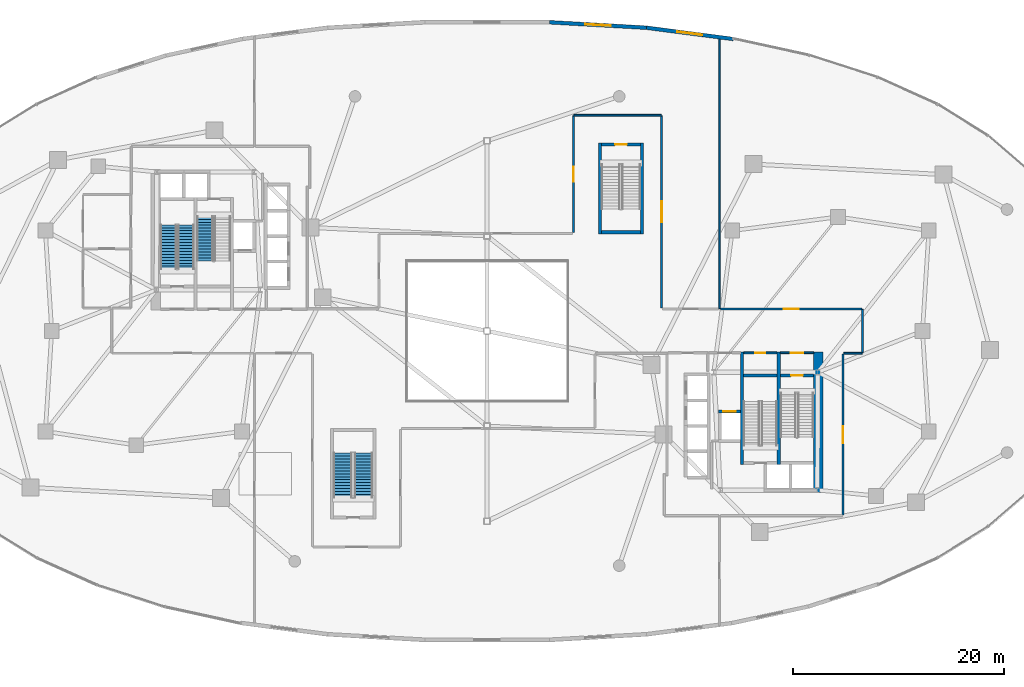
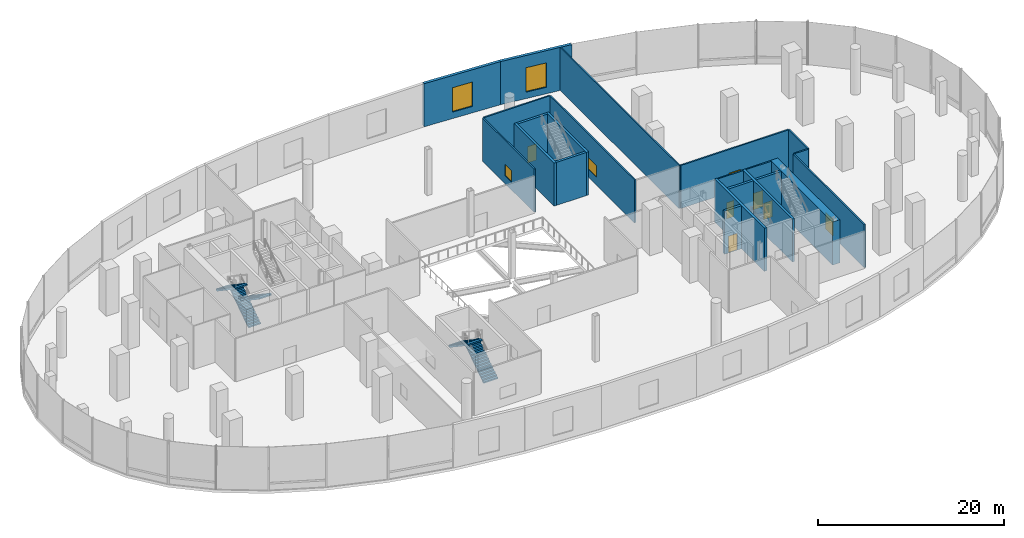
# One storey, part 15 of 20: 22 walls, 6 doors, 5 stair flights, 5 windows, 11 openings, 3 elements without a shape of their own.
"""IFC4 building model written with IfcOpenShell, lengths in metres."""

from ifc_helpers import new_model, si_unit, direction, frame, frame_2d, origin, place, context, subcontext, project, spatial, polyline, rectangle, outline, extrude, material, layer, layer_set, type_object, element, fill, aggregate, save


model = new_model("IFC4")

# Units and contexts
model_context = context("Model", 3, precision=1e-05, world=origin(), true_north=direction((0.0, 1.0)))
body_context = subcontext(model_context, "Body", "Model", "MODEL_VIEW")
ifc_project = project(units=[si_unit("LENGTHUNIT", "METRE"), si_unit("AREAUNIT", "SQUARE_METRE"), si_unit("VOLUMEUNIT", "CUBIC_METRE"), si_unit("PLANEANGLEUNIT", "RADIAN"), si_unit("MASSUNIT", "GRAM", prefix="KILO"), si_unit("THERMODYNAMICTEMPERATUREUNIT", "KELVIN"), si_unit("POWERUNIT", "WATT")], contexts=[model_context])

# Site, building, storey
site_placement = place(None, origin())
site = spatial("IfcSite", under=ifc_project, at=site_placement, CompositionType="ELEMENT")
building_placement = place(site_placement, origin())
building = spatial("IfcBuilding", under=site, at=building_placement, Name="Cundina Bronze Exchange", CompositionType="ELEMENT")
storey_placement = place(building_placement, frame((0.0, 0.0, 6.0)))
storey = spatial("IfcBuildingStorey", under=building, at=storey_placement, Name="L01", CompositionType="ELEMENT", Elevation=6.0)

# Wall, opening, door
ifc_material_1 = material(Name="Gypsum Fireboard Partition EI120")
ifc_layer_1 = layer(ifc_material_1, 0.179931640625, Name="Gypsum Fireboard Partition EI120")
ifc_layer_set_1 = layer_set([ifc_layer_1], Name="Gypsum Fireboard Partition EI120")
wall_type_1 = type_object("IfcWallType", Name="WL-COR-180", PredefinedType="PARTITIONING", material=ifc_layer_set_1)
wall_1_placement = place(storey_placement, frame((27.739990234375, -2.06005859375, 0.0), z_axis=(0.0, 0.0, 1.0), x_axis=(1.0, 0.0, 0.0)))
wall_1 = element("IfcWall", 1, at=wall_1_placement, inside=storey, type_object=wall_type_1, Name="L01 E Stair Vestibule Exit Wall", PredefinedType="PARTITIONING", context=body_context, shape_type="SweptSolid", body=[
    extrude(rectangle(XDim=3.159912109375, YDim=0.179931640625, at=frame_2d((1.580078125, 0.0))), origin(), (0.0, 0.0, 1.0), 5.64990234375),
])
opening_1_placement = place(wall_1_placement, frame((0.97998046875, 0.0, 0.0)))
opening_1 = element("IfcOpeningElement", 2, at=opening_1_placement, cuts=wall_1, Name="Opening DF-01", PredefinedType="OPENING", context=body_context, shape_type="SweptSolid", body=[
    extrude(rectangle(XDim=1.199951171875, YDim=2.14990234375, at=frame_2d((0.60009765625, 1.074951171875))), frame((0.0, 0.099853515625, 0.0), z_axis=(0.0, -1.0, 0.0), x_axis=(1.0, 0.0, 0.0)), (0.0, 0.0, 1.0), 0.199951171875),
])
ifc_material_2 = material(Name="Steel ASTM A36 Painted", Category="steel")
door_type_1 = type_object("IfcDoorType", Name="DR-FFL-1200", OperationType="NOTDEFINED", PredefinedType="DOOR", material=ifc_material_2)
door_1_placement = place(opening_1_placement, origin())
door_1 = element("IfcDoor", 3, at=door_1_placement, inside=storey, type_object=door_type_1, Name="L01 E Stair Vestibule Door", OperationType="SINGLE_SWING_RIGHT", OverallHeight=2.14990234375, OverallWidth=1.199951171875, PredefinedType="DOOR", context=body_context, shape_type="SweptSolid", body=[
    extrude(rectangle(XDim=1.199951171875, YDim=2.14990234375, at=frame_2d((0.60009765625, 1.074951171875))), frame((0.0, 0.02490234375, 0.0), z_axis=(0.0, -1.0, 0.0), x_axis=(1.0, 0.0, 0.0)), (0.0, 0.0, 1.0), 0.050048828125),
])
fill(opening_1, door_1)

wall_2_placement = place(storey_placement, frame((24.300048828125, -2.070068359375, 0.0), z_axis=(0.0, 0.0, 1.0), x_axis=(1.0, 0.0, 0.0)))
wall_2 = element("IfcWall", 4, at=wall_2_placement, inside=storey, type_object=wall_type_1, Name="L01 Interior Partition 010", PredefinedType="PARTITIONING", context=body_context, shape_type="SweptSolid", body=[
    extrude(rectangle(XDim=3.119873046875, YDim=0.179931640625, at=frame_2d((1.56005859375, 0.0))), origin(), (0.0, 0.0, 1.0), 5.64990234375),
])
opening_2_placement = place(wall_2_placement, frame((1.0849609375, 0.0, 0.0)))
opening_2 = element("IfcOpeningElement", 5, at=opening_2_placement, cuts=wall_2, Name="Opening DW-01", PredefinedType="OPENING", context=body_context, shape_type="SweptSolid", body=[
    extrude(rectangle(XDim=0.949951171875, YDim=2.10009765625, at=frame_2d((0.47509765625, 1.050048828125))), frame((0.0, 0.099853515625, 0.0), z_axis=(0.0, -1.0, 0.0), x_axis=(1.0, 0.0, 0.0)), (0.0, 0.0, 1.0), 0.199951171875),
])
ifc_material_3 = material(Name="Solid Andean Oak Timber Grade A", Category="wood")
door_type_2 = type_object("IfcDoorType", Name="DR-WC-950", OperationType="NOTDEFINED", PredefinedType="DOOR", material=ifc_material_3)
door_2_placement = place(opening_2_placement, origin())
door_2 = element("IfcDoor", 6, at=door_2_placement, inside=storey, type_object=door_type_2, Name="L01 Interior Door 010", OperationType="SINGLE_SWING_RIGHT", OverallHeight=2.10009765625, OverallWidth=0.949951171875, PredefinedType="DOOR", context=body_context, shape_type="SweptSolid", body=[
    extrude(rectangle(XDim=0.949951171875, YDim=2.10009765625, at=frame_2d((0.47509765625, 1.050048828125))), frame((0.0, 0.02490234375, 0.0), z_axis=(0.0, -1.0, 0.0), x_axis=(1.0, 0.0, 0.0)), (0.0, 0.0, 1.0), 0.050048828125),
])
fill(opening_2, door_2)

wall_3_placement = place(storey_placement, frame((33.669921875, -17.428466796875, 0.0), z_axis=(0.0, 0.0, 1.0), x_axis=(0.0, 1.0, 0.0)))
wall_3 = element("IfcWall", 7, at=wall_3_placement, inside=storey, type_object=wall_type_1, Name="L01 Interior Partition 036", PredefinedType="PARTITIONING", context=body_context, shape_type="SweptSolid", body=[
    extrude(rectangle(XDim=15.24853515625, YDim=0.179931640625, at=frame_2d((7.624267578125, 0.0))), origin(), (0.0, 0.0, 1.0), 5.64990234375),
])
opening_3_placement = place(wall_3_placement, frame((6.82421875, 0.0, 0.0)))
opening_3 = element("IfcOpeningElement", 8, at=opening_3_placement, cuts=wall_3, Name="Opening DO-02", PredefinedType="OPENING", context=body_context, shape_type="SweptSolid", body=[
    extrude(rectangle(XDim=1.60009765625, YDim=2.199951171875, at=frame_2d((0.800048828125, 1.10009765625))), frame((0.0, 0.099853515625, 0.0), z_axis=(0.0, -1.0, 0.0), x_axis=(1.0, 0.0, 0.0)), (0.0, 0.0, 1.0), 0.199951171875),
])
door_type_3 = type_object("IfcDoorType", Name="DR-TRD-1600", OperationType="NOTDEFINED", PredefinedType="DOOR", material=ifc_material_3)
door_3_placement = place(opening_3_placement, origin())
door_3 = element("IfcDoor", 9, at=door_3_placement, inside=storey, type_object=door_type_3, Name="L01 Interior Door 036", OperationType="SINGLE_SWING_LEFT", OverallHeight=2.199951171875, OverallWidth=1.60009765625, PredefinedType="DOOR", context=body_context, shape_type="SweptSolid", body=[
    extrude(rectangle(XDim=1.60009765625, YDim=2.199951171875, at=frame_2d((0.800048828125, 1.10009765625))), frame((0.0, 0.02490234375, 0.0), z_axis=(0.0, -1.0, 0.0), x_axis=(1.0, 0.0, 0.0)), (0.0, 0.0, 1.0), 0.050048828125),
])
fill(opening_3, door_3)

# Wall, opening, window
wall_4_placement = place(storey_placement, frame((35.478515625, 2.10009765625, 0.0), z_axis=(0.0, 0.0, 1.0), x_axis=(-1.0, 0.0, 0.0)))
wall_4 = element("IfcWall", 10, at=wall_4_placement, inside=storey, type_object=wall_type_1, Name="L01 Interior Partition 037", PredefinedType="PARTITIONING", context=body_context, shape_type="SweptSolid", body=[
    extrude(rectangle(XDim=13.383544921875, YDim=0.179931640625, at=frame_2d((6.69189453125, 0.0))), origin(), (0.0, 0.0, 1.0), 5.64990234375),
])
opening_4_placement = place(wall_4_placement, frame((5.991943359375, 0.0, 1.050048828125)))
opening_4 = element("IfcOpeningElement", 11, at=opening_4_placement, cuts=wall_4, Name="Opening WI-02", PredefinedType="OPENING", context=body_context, shape_type="SweptSolid", body=[
    extrude(rectangle(XDim=1.39990234375, YDim=1.5, at=frame_2d((0.699951171875, 0.75))), frame((0.0, 0.099853515625, 0.0), z_axis=(0.0, -1.0, 0.0), x_axis=(1.0, 0.0, 0.0)), (0.0, 0.0, 1.0), 0.199951171875),
])
ifc_material_4 = material(Name="Clear Low-E Insulating Glass 26mm", Category="glass")
window_type_1 = type_object("IfcWindowType", Name="WN-INT-1400", PartitioningType="SINGLE_PANEL", PredefinedType="WINDOW", material=ifc_material_4)
window_1_placement = place(opening_4_placement, origin())
window_1 = element("IfcWindow", 12, at=window_1_placement, inside=storey, type_object=window_type_1, Name="L01 Interior Acoustic Vision Window 037", OverallHeight=1.5, OverallWidth=1.39990234375, PartitioningType="SINGLE_PANEL", PredefinedType="WINDOW", context=body_context, shape_type="SweptSolid", body=[
    extrude(rectangle(XDim=1.39990234375, YDim=1.5, at=frame_2d((0.699951171875, 0.75))), frame((0.0, 0.030029296875, 0.0), z_axis=(0.0, -1.0, 0.0), x_axis=(1.0, 0.0, 0.0)), (0.0, 0.0, 1.0), 0.06005859375),
])
fill(opening_4, window_1)

# Walls
wall_5_placement = place(storey_placement, frame((35.52001953125, -2.05859375, 0.0), z_axis=(0.0, 0.0, 1.0), x_axis=(0.0, 1.0, 0.0)))
element("IfcWall", 13, at=wall_5_placement, inside=storey, type_object=wall_type_1, Name="L01 Interior Partition 039", PredefinedType="PARTITIONING", context=body_context, shape_type="SweptSolid", body=[
    extrude(rectangle(XDim=4.1171875, YDim=0.179931640625, at=frame_2d((2.05859375, 0.0))), origin(), (0.0, 0.0, 1.0), 5.64990234375),
])
wall_6_placement = place(storey_placement, frame((33.75, -2.10009765625, 0.0), z_axis=(0.0, 0.0, 1.0), x_axis=(1.0, 0.0, 0.0)))
element("IfcWall", 14, at=wall_6_placement, inside=storey, type_object=wall_type_1, Name="L01 Interior Partition 040", PredefinedType="PARTITIONING", context=body_context, shape_type="SweptSolid", body=[
    extrude(rectangle(XDim=1.728515625, YDim=0.179931640625, at=frame_2d((0.8642578125, 0.0))), origin(), (0.0, 0.0, 1.0), 5.64990234375),
])

# Wall, opening, window
wall_7_placement = place(storey_placement, frame((16.52001953125, 2.179931640625, 0.0), z_axis=(0.0, 0.0, 1.0), x_axis=(0.0, 1.0, 0.0)))
wall_7 = element("IfcWall", 15, at=wall_7_placement, inside=storey, type_object=wall_type_1, Name="L01 Interior Partition 042", PredefinedType="PARTITIONING", context=body_context, shape_type="SweptSolid", body=[
    extrude(rectangle(XDim=18.198486328125, YDim=0.179931640625, at=frame_2d((9.09912109375, 0.0))), origin(), (0.0, 0.0, 1.0), 5.64990234375),
])
opening_5_placement = place(wall_7_placement, frame((8.09912109375, 0.0, 1.050048828125)))
opening_5 = element("IfcOpeningElement", 16, at=opening_5_placement, cuts=wall_7, Name="Opening WI-01", PredefinedType="OPENING", context=body_context, shape_type="SweptSolid", body=[
    extrude(rectangle(XDim=2.0, YDim=1.5, at=frame_2d((1.0, 0.75))), frame((0.0, 0.099853515625, 0.0), z_axis=(0.0, -1.0, 0.0), x_axis=(1.0, 0.0, 0.0)), (0.0, 0.0, 1.0), 0.199951171875),
])
window_type_2 = type_object("IfcWindowType", Name="WN-INT-2000", PartitioningType="SINGLE_PANEL", PredefinedType="WINDOW", material=ifc_material_4)
window_2_placement = place(opening_5_placement, origin())
window_2 = element("IfcWindow", 17, at=window_2_placement, inside=storey, type_object=window_type_2, Name="L01 Interior Acoustic Vision Window 042", OverallHeight=1.5, OverallWidth=2.0, PartitioningType="SINGLE_PANEL", PredefinedType="WINDOW", context=body_context, shape_type="SweptSolid", body=[
    extrude(rectangle(XDim=2.0, YDim=1.5, at=frame_2d((1.0, 0.75))), frame((0.0, 0.030029296875, 0.0), z_axis=(0.0, -1.0, 0.0), x_axis=(1.0, 0.0, 0.0)), (0.0, 0.0, 1.0), 0.06005859375),
])
fill(opening_5, window_2)

wall_8_placement = place(storey_placement, frame((8.179931640625, 20.37841796875, 0.0), z_axis=(0.0, 0.0, 1.0), x_axis=(0.0, -1.0, 0.0)))
wall_8 = element("IfcWall", 18, at=wall_8_placement, inside=storey, type_object=wall_type_1, Name="L01 Interior Partition 043", PredefinedType="PARTITIONING", context=body_context, shape_type="SweptSolid", body=[
    extrude(rectangle(XDim=11.078369140625, YDim=0.179931640625, at=frame_2d((5.5390625, 0.0))), origin(), (0.0, 0.0, 1.0), 5.64990234375),
])
opening_6_placement = place(wall_8_placement, frame((4.839111328125, 0.0, 1.050048828125)))
opening_6 = element("IfcOpeningElement", 19, at=opening_6_placement, cuts=wall_8, Name="Opening WI-02", PredefinedType="OPENING", context=body_context, shape_type="SweptSolid", body=[
    extrude(rectangle(XDim=1.39990234375, YDim=1.5, at=frame_2d((0.699951171875, 0.75))), frame((0.0, 0.099853515625, 0.0), z_axis=(0.0, -1.0, 0.0), x_axis=(1.0, 0.0, 0.0)), (0.0, 0.0, 1.0), 0.199951171875),
])
window_3_placement = place(opening_6_placement, origin())
window_3 = element("IfcWindow", 20, at=window_3_placement, inside=storey, type_object=window_type_1, Name="L01 Interior Acoustic Vision Window 043", OverallHeight=1.5, OverallWidth=1.39990234375, PartitioningType="SINGLE_PANEL", PredefinedType="WINDOW", context=body_context, shape_type="SweptSolid", body=[
    extrude(rectangle(XDim=1.39990234375, YDim=1.5, at=frame_2d((0.699951171875, 0.75))), frame((0.0, 0.030029296875, 0.0), z_axis=(0.0, -1.0, 0.0), x_axis=(1.0, 0.0, 0.0)), (0.0, 0.0, 1.0), 0.06005859375),
])
fill(opening_6, window_3)

# Walls
wall_9_placement = place(storey_placement, frame((16.478515625, 20.419921875, 0.0), z_axis=(0.0, 0.0, 1.0), x_axis=(-1.0, 0.0, 0.0)))
element("IfcWall", 21, at=wall_9_placement, inside=storey, type_object=wall_type_1, Name="L01 Interior Partition 044", PredefinedType="PARTITIONING", context=body_context, shape_type="SweptSolid", body=[
    extrude(rectangle(XDim=8.257080078125, YDim=0.179931640625, at=frame_2d((4.12841796875, 0.0))), origin(), (0.0, 0.0, 1.0), 5.64990234375),
])
ifc_material_5 = material(Name="Concrete C60/75", Category="concrete")
ifc_layer_2 = layer(ifc_material_5, 0.89990234375, Name="Concrete C60/75", Category="concrete")
ifc_layer_set_2 = layer_set([ifc_layer_2], Name="Concrete C60/75")
wall_type_2 = type_object("IfcWallType", Name="WL-CORE-900", PredefinedType="SHEAR", material=ifc_layer_set_2)
wall_10_placement = place(storey_placement, frame((31.35009765625, -15.300048828125, 0.0), z_axis=(0.0, 0.0, 1.0), x_axis=(0.0, 1.0, 0.0)))
element("IfcWall", 22, at=wall_10_placement, inside=storey, type_object=wall_type_2, Name="L01 E Primary Core Shear Spine Wall", PredefinedType="SHEAR", context=body_context, shape_type="SweptSolid", body=[
    extrude(rectangle(XDim=13.330078125, YDim=0.89990234375, at=frame_2d((6.6650390625, 0.0))), origin(), (0.0, 0.0, 1.0), 5.64990234375),
])

# Wall, opening, window
ifc_material_6 = material(Name="Concrete C40/50", Category="concrete")
ifc_layer_3 = layer(ifc_material_6, 0.35009765625, Name="Concrete C40/50", Category="concrete")
ifc_layer_set_3 = layer_set([ifc_layer_3], Name="Concrete C40/50")
wall_type_3 = type_object("IfcWallType", Name="WL-EXT-350", PredefinedType="SOLIDWALL", material=ifc_layer_set_3)
wall_11_placement = place(storey_placement, frame((23.29345703125, 27.63232421875, 0.0), z_axis=(0.0, 0.0, 1.0), x_axis=(-0.99168663472, 0.128676410104, 0.0)))
wall_11 = element("IfcWall", 23, at=wall_11_placement, inside=storey, type_object=wall_type_3, Name="L01 Podium Exterior Wall 08", PredefinedType="SOLIDWALL", context=body_context, shape_type="SweptSolid", body=[
    extrude(rectangle(XDim=8.28369140625, YDim=0.35009765625, at=frame_2d((4.141845703125, 0.0))), origin(), (0.0, 0.0, 1.0), 5.64990234375),
])
opening_7_placement = place(wall_11_placement, frame((2.94189453125, 0.0, 0.85009765625)))
opening_7 = element("IfcOpeningElement", 24, at=opening_7_placement, cuts=wall_11, Name="Opening W-01", PredefinedType="OPENING", context=body_context, shape_type="SweptSolid", body=[
    extrude(rectangle(XDim=2.39990234375, YDim=3.199951171875, at=frame_2d((1.199951171875, 1.60009765625))), frame((0.0, 0.18505859375, 0.0), z_axis=(0.0, -1.0, 0.0), x_axis=(1.0, 0.0, 0.0)), (0.0, 0.0, 1.0), 0.3701171875),
])
ifc_material_7 = material(Name="Heat-Strengthened Solar-Control Bronze Safety Glass 28mm", Category="glass")
window_type_3 = type_object("IfcWindowType", Name="WN-POD-2400", PartitioningType="SINGLE_PANEL", PredefinedType="WINDOW", material=ifc_material_7)
window_4_placement = place(opening_7_placement, origin())
window_4 = element("IfcWindow", 25, at=window_4_placement, inside=storey, type_object=window_type_3, Name="L01 Podium Punched Window 08", OverallHeight=3.199951171875, OverallWidth=2.39990234375, PartitioningType="SINGLE_PANEL", PredefinedType="WINDOW", context=body_context, shape_type="SweptSolid", body=[
    extrude(rectangle(XDim=2.39990234375, YDim=3.199951171875, at=frame_2d((1.199951171875, 1.60009765625))), frame((0.0, 0.030029296875, 0.0), z_axis=(0.0, -1.0, 0.0), x_axis=(1.0, 0.0, 0.0)), (0.0, 0.0, 1.0), 0.06005859375),
])
fill(opening_7, window_4)

wall_12_placement = place(storey_placement, frame((15.07861328125, 28.6982421875, 0.0), z_axis=(0.0, 0.0, 1.0), x_axis=(-0.998413463137, 0.056307695976, 0.0)))
wall_12 = element("IfcWall", 26, at=wall_12_placement, inside=storey, type_object=wall_type_3, Name="L01 Podium Exterior Wall 09", PredefinedType="SOLIDWALL", context=body_context, shape_type="SweptSolid", body=[
    extrude(rectangle(XDim=9.20068359375, YDim=0.35009765625, at=frame_2d((4.600341796875, 0.0))), origin(), (0.0, 0.0, 1.0), 5.64990234375),
])
opening_8_placement = place(wall_12_placement, frame((3.39990234375, 0.0, 0.85009765625)))
opening_8 = element("IfcOpeningElement", 27, at=opening_8_placement, cuts=wall_12, Name="Opening W-01", PredefinedType="OPENING", context=body_context, shape_type="SweptSolid", body=[
    extrude(rectangle(XDim=2.39990234375, YDim=3.199951171875, at=frame_2d((1.199951171875, 1.60009765625))), frame((0.0, 0.18505859375, 0.0), z_axis=(0.0, -1.0, 0.0), x_axis=(1.0, 0.0, 0.0)), (0.0, 0.0, 1.0), 0.3701171875),
])
window_5_placement = place(opening_8_placement, origin())
window_5 = element("IfcWindow", 28, at=window_5_placement, inside=storey, type_object=window_type_3, Name="L01 Podium Punched Window 09", OverallHeight=3.199951171875, OverallWidth=2.39990234375, PartitioningType="SINGLE_PANEL", PredefinedType="WINDOW", context=body_context, shape_type="SweptSolid", body=[
    extrude(rectangle(XDim=2.39990234375, YDim=3.199951171875, at=frame_2d((1.199951171875, 1.60009765625))), frame((0.0, 0.030029296875, 0.0), z_axis=(0.0, -1.0, 0.0), x_axis=(1.0, 0.0, 0.0)), (0.0, 0.0, 1.0), 0.06005859375),
])
fill(opening_8, window_5)

# Walls
ifc_material_8 = material(Name="Concrete C50/60", Category="concrete")
ifc_layer_4 = layer(ifc_material_8, 0.300048828125, Name="Concrete C50/60", Category="concrete")
ifc_layer_set_4 = layer_set([ifc_layer_4], Name="Concrete C50/60")
wall_type_4 = type_object("IfcWallType", Name="WL-SHFT-300", PredefinedType="SHEAR", material=ifc_layer_set_4)
for number, where, z_axis, x_axis, name in (
    (29, (10.669921875, 9.199951171875, 0.0), (0.0, 0.0, 1.0), (0.0, 1.0, 0.0), "L01 Concourse Stair E West Shaft Wall"),
    (30, (14.669921875, 9.199951171875, 0.0), (0.0, 0.0, 1.0), (0.0, 1.0, 0.0), "L01 Concourse Stair E East Shaft Wall"),
):
    element("IfcWall", number, at=place(storey_placement, frame(where, z_axis=z_axis, x_axis=x_axis)), inside=storey, type_object=wall_type_4, Name=name, PredefinedType="SHEAR", context=body_context, shape_type="SweptSolid", body=[
        extrude(rectangle(XDim=8.60009765625, YDim=0.300048828125, at=frame_2d((4.300048828125, 0.0))), origin(), (0.0, 0.0, 1.0), 5.64990234375),
    ])

# Wall, opening, door
wall_13_placement = place(storey_placement, frame((10.820068359375, 17.64990234375, 0.0), z_axis=(0.0, 0.0, 1.0), x_axis=(1.0, 0.0, 0.0)))
wall_13 = element("IfcWall", 31, at=wall_13_placement, inside=storey, type_object=wall_type_4, Name="L01 Concourse Stair E Landing Wall", PredefinedType="SHEAR", context=body_context, shape_type="SweptSolid", body=[
    extrude(rectangle(XDim=3.699951171875, YDim=0.300048828125, at=frame_2d((1.85009765625, 0.0))), origin(), (0.0, 0.0, 1.0), 5.64990234375),
])
opening_9_placement = place(wall_13_placement, frame((1.300048828125, 0.0, 0.0)))
opening_9 = element("IfcOpeningElement", 32, at=opening_9_placement, cuts=wall_13, Name="Opening DS-01", PredefinedType="OPENING", context=body_context, shape_type="SweptSolid", body=[
    extrude(rectangle(XDim=1.10009765625, YDim=2.14990234375, at=frame_2d((0.550048828125, 1.074951171875))), frame((0.0, 0.159912109375, 0.0), z_axis=(0.0, -1.0, 0.0), x_axis=(1.0, 0.0, 0.0)), (0.0, 0.0, 1.0), 0.320068359375),
])
door_type_4 = type_object("IfcDoorType", Name="DR-STR-1100", OperationType="NOTDEFINED", PredefinedType="DOOR", material=ifc_material_2)
door_4_placement = place(opening_9_placement, origin())
door_4 = element("IfcDoor", 33, at=door_4_placement, inside=storey, type_object=door_type_4, Name="L01 Concourse Stair E Door", OperationType="SINGLE_SWING_RIGHT", OverallHeight=2.14990234375, OverallWidth=1.10009765625, PredefinedType="DOOR", context=body_context, shape_type="SweptSolid", body=[
    extrude(rectangle(XDim=1.10009765625, YDim=2.14990234375, at=frame_2d((0.550048828125, 1.074951171875))), frame((0.0, 0.02490234375, 0.0), z_axis=(0.0, -1.0, 0.0), x_axis=(1.0, 0.0, 0.0)), (0.0, 0.0, 1.0), 0.050048828125),
])
fill(opening_9, door_4)

# Walls
wall_14_placement = place(storey_placement, frame((10.820068359375, 9.35009765625, 0.0), z_axis=(0.0, 0.0, 1.0), x_axis=(1.0, 0.0, 0.0)))
element("IfcWall", 34, at=wall_14_placement, inside=storey, type_object=wall_type_4, Name="L01 Concourse Stair E Far Shaft Wall", PredefinedType="SHEAR", context=body_context, shape_type="SweptSolid", body=[
    extrude(rectangle(XDim=3.699951171875, YDim=0.300048828125, at=frame_2d((1.85009765625, 0.0))), origin(), (0.0, 0.0, 1.0), 5.64990234375),
])
for number, where, z_axis, x_axis, name in (
    (35, (27.590087890625, -12.64990234375, 0.0), (0.0, 0.0, 1.0), (0.0, 1.0, 0.0), "L01 E Stair Shaft Dividing Shear Wall"),
    (36, (24.1298828125, -12.64990234375, 0.0), (0.0, 0.0, 1.0), (0.0, 1.0, 0.0), "L01 E Stair 2 East Shear Wall"),
):
    element("IfcWall", number, at=place(storey_placement, frame(where, z_axis=z_axis, x_axis=x_axis)), inside=storey, type_object=wall_type_4, Name=name, PredefinedType="SHEAR", context=body_context, shape_type="SweptSolid", body=[
        extrude(rectangle(XDim=10.679931640625, YDim=0.300048828125, at=frame_2d((5.33984375, 0.0))), origin(), (0.0, 0.0, 1.0), 5.64990234375),
    ])

# Wall, opening, door
wall_15_placement = place(storey_placement, frame((27.739990234375, -4.199951171875, 0.0), z_axis=(0.0, 0.0, 1.0), x_axis=(1.0, 0.0, 0.0)))
wall_15 = element("IfcWall", 37, at=wall_15_placement, inside=storey, type_object=wall_type_4, Name="L01 Stair E1 Landing Wall", PredefinedType="SHEAR", context=body_context, shape_type="SweptSolid", body=[
    extrude(rectangle(XDim=3.159912109375, YDim=0.300048828125, at=frame_2d((1.580078125, 0.0))), origin(), (0.0, 0.0, 1.0), 5.64990234375),
])
opening_10_placement = place(wall_15_placement, frame((1.030029296875, 0.0, 0.0)))
opening_10 = element("IfcOpeningElement", 38, at=opening_10_placement, cuts=wall_15, Name="Opening DS-01", PredefinedType="OPENING", context=body_context, shape_type="SweptSolid", body=[
    extrude(rectangle(XDim=1.10009765625, YDim=2.14990234375, at=frame_2d((0.550048828125, 1.074951171875))), frame((0.0, 0.159912109375, 0.0), z_axis=(0.0, -1.0, 0.0), x_axis=(1.0, 0.0, 0.0)), (0.0, 0.0, 1.0), 0.320068359375),
])
door_5_placement = place(opening_10_placement, origin())
door_5 = element("IfcDoor", 39, at=door_5_placement, inside=storey, type_object=door_type_4, Name="L01 Smokeproof Stair E1 Door", OperationType="SINGLE_SWING_LEFT", OverallHeight=2.14990234375, OverallWidth=1.10009765625, PredefinedType="DOOR", context=body_context, shape_type="SweptSolid", body=[
    extrude(rectangle(XDim=1.10009765625, YDim=2.14990234375, at=frame_2d((0.550048828125, 1.074951171875))), frame((0.0, 0.02490234375, 0.0), z_axis=(0.0, -1.0, 0.0), x_axis=(1.0, 0.0, 0.0)), (0.0, 0.0, 1.0), 0.050048828125),
])
fill(opening_10, door_5)

# Wall
wall_16_placement = place(storey_placement, frame((24.280029296875, -4.199951171875, 0.0), z_axis=(0.0, 0.0, 1.0), x_axis=(1.0, 0.0, 0.0)))
element("IfcWall", 40, at=wall_16_placement, inside=storey, type_object=wall_type_4, Name="L01 Stair E2 Far Shaft Wall", PredefinedType="SHEAR", context=body_context, shape_type="SweptSolid", body=[
    extrude(rectangle(XDim=3.159912109375, YDim=0.300048828125, at=frame_2d((1.580078125, 0.0))), origin(), (0.0, 0.0, 1.0), 5.64990234375),
])

# Wall, opening, door
wall_17_placement = place(storey_placement, frame((21.8798828125, -7.60009765625, 0.0), z_axis=(0.0, 0.0, 1.0), x_axis=(1.0, 0.0, 0.0)))
wall_17 = element("IfcWall", 41, at=wall_17_placement, inside=storey, type_object=wall_type_4, Name="L01 FFL-E Hoistway Front Wall", PredefinedType="SHEAR", context=body_context, shape_type="SweptSolid", body=[
    extrude(rectangle(XDim=2.10009765625, YDim=0.300048828125, at=frame_2d((1.050048828125, 0.0))), origin(), (0.0, 0.0, 1.0), 5.64990234375),
])
opening_11_placement = place(wall_17_placement, frame((0.47509765625, 0.0, 0.0)))
opening_11 = element("IfcOpeningElement", 42, at=opening_11_placement, cuts=wall_17, Name="Opening LD-01", PredefinedType="OPENING", context=body_context, shape_type="SweptSolid", body=[
    extrude(rectangle(XDim=1.14990234375, YDim=2.199951171875, at=frame_2d((0.574951171875, 1.10009765625))), frame((0.0, 0.159912109375, 0.0), z_axis=(0.0, -1.0, 0.0), x_axis=(1.0, 0.0, 0.0)), (0.0, 0.0, 1.0), 0.320068359375),
])
door_type_5 = type_object("IfcDoorType", Name="DR-LND-1150", OperationType="NOTDEFINED", PredefinedType="TRAPDOOR", material=ifc_material_2)
door_6_placement = place(opening_11_placement, origin())
door_6 = element("IfcDoor", 43, at=door_6_placement, inside=storey, type_object=door_type_5, Name="L01 FFL-E Sliding Landing Door", OperationType="SLIDING_TO_LEFT", OverallHeight=2.199951171875, OverallWidth=1.14990234375, PredefinedType="TRAPDOOR", context=body_context, shape_type="SweptSolid", body=[
    extrude(rectangle(XDim=1.14990234375, YDim=2.199951171875, at=frame_2d((0.574951171875, 1.10009765625))), frame((0.0, 0.02490234375, 0.0), z_axis=(0.0, -1.0, 0.0), x_axis=(1.0, 0.0, 0.0)), (0.0, 0.0, 1.0), 0.050048828125),
])
fill(opening_11, door_6)

# Wall
ifc_material_9 = material(Name="Gypsum Acoustic Partition EI60")
ifc_layer_5 = layer(ifc_material_9, 0.14990234375, Name="Gypsum Acoustic Partition EI60")
ifc_layer_set_5 = layer_set([ifc_layer_5], Name="Gypsum Acoustic Partition EI60")
wall_type_5 = type_object("IfcWallType", Name="WL-TEN-150", PredefinedType="PARTITIONING", material=ifc_layer_set_5)
wall_18_placement = place(storey_placement, frame((22.0, 2.1298828125, 0.0), z_axis=(0.0, 0.0, 1.0), x_axis=(0.0, 1.0, 0.0)))
element("IfcWall", 44, at=wall_18_placement, inside=storey, type_object=wall_type_5, Name="L01 Interior Partition 022", PredefinedType="PARTITIONING", context=body_context, shape_type="SweptSolid", body=[
    extrude(rectangle(XDim=25.75, YDim=0.14990234375, at=frame_2d((12.875, 0.0))), origin(), (0.0, 0.0, 1.0), 5.64990234375),
])

# Stair, stair flights
stair_type_1 = type_object("IfcStairType", Name="STR-CON-600", PredefinedType="STRAIGHT_RUN_STAIR", material=ifc_material_6)
stair_1_placement = place(storey_placement, origin())
stair_1 = element("IfcStair", 45, at=stair_1_placement, inside=storey, type_object=stair_type_1, Name="L01 Concourse Exchange Stair W", PredefinedType="HALF_TURN_STAIR")
stair_flight_type_1 = type_object("IfcStairFlightType", Name="FLG-CON-300", PredefinedType="STRAIGHT", material=ifc_material_6)
stair_flight_1_placement = place(storey_placement, frame((-11.695068359375, -15.75, 0.0), z_axis=(0.0, 0.0, 1.0), x_axis=(0.0, 1.0, 0.0)))
stair_flight_1 = element("IfcStairFlight", 46, at=stair_flight_1_placement, type_object=stair_flight_type_1, Name="ST-PW flight 1", NumberOfRisers=16, NumberOfTreads=15, PredefinedType="STRAIGHT", RiserHeight=0.1875, TreadLength=0.28, context=body_context, shape_type="SweptSolid", body=[
    extrude(outline(polyline([(0.0, 0.0), (0.0, 0.1875), (0.280029296875, 0.1875), (0.280029296875, 0.375), (0.56005859375, 0.375), (0.56005859375, 0.5625), (0.840087890625, 0.5625), (0.840087890625, 0.75), (1.1201171875, 0.75), (1.1201171875, 0.9375), (1.39990234375, 0.9375), (1.39990234375, 1.125), (1.679931640625, 1.125), (1.679931640625, 1.3125), (1.9599609375, 1.3125), (1.9599609375, 1.5), (2.239990234375, 1.5), (2.239990234375, 1.6875), (2.52001953125, 1.6875), (2.52001953125, 1.875), (2.800048828125, 1.875), (2.800048828125, 2.0625), (3.080078125, 2.0625), (3.080078125, 2.25), (3.360107421875, 2.25), (3.360107421875, 2.4375), (3.639892578125, 2.4375), (3.639892578125, 2.625), (3.919921875, 2.625), (3.919921875, 2.8125), (4.199951171875, 2.8125), (4.199951171875, 3.0), (4.199951171875, 2.632080078125), (0.26953125, 0.0), (0.0, 0.0)])), frame((0.0, 0.875, 0.0), z_axis=(0.0, -1.0, 0.0), x_axis=(1.0, 0.0, 0.0)), (0.0, 0.0, 1.0), 1.75),
])
stair_flight_2_placement = place(storey_placement, frame((-13.64501953125, -11.550048828125, 3.0), z_axis=(0.0, 0.0, 1.0), x_axis=(0.0, -1.0, 0.0)))
stair_flight_2 = element("IfcStairFlight", 47, at=stair_flight_2_placement, type_object=stair_flight_type_1, Name="ST-PW flight 2", NumberOfRisers=16, NumberOfTreads=15, PredefinedType="STRAIGHT", RiserHeight=0.1875, TreadLength=0.28, context=body_context, shape_type="SweptSolid", body=[
    extrude(outline(polyline([(0.0, 0.0), (0.0, 0.1875), (0.280029296875, 0.1875), (0.280029296875, 0.375), (0.56005859375, 0.375), (0.56005859375, 0.5625), (0.840087890625, 0.5625), (0.840087890625, 0.75), (1.1201171875, 0.75), (1.1201171875, 0.9375), (1.39990234375, 0.9375), (1.39990234375, 1.125), (1.679931640625, 1.125), (1.679931640625, 1.3125), (1.9599609375, 1.3125), (1.9599609375, 1.5), (2.239990234375, 1.5), (2.239990234375, 1.6875), (2.52001953125, 1.6875), (2.52001953125, 1.875), (2.800048828125, 1.875), (2.800048828125, 2.0625), (3.080078125, 2.0625), (3.080078125, 2.25), (3.360107421875, 2.25), (3.360107421875, 2.4375), (3.639892578125, 2.4375), (3.639892578125, 2.625), (3.919921875, 2.625), (3.919921875, 2.8125), (4.199951171875, 2.8125), (4.199951171875, 3.0), (4.199951171875, 2.632080078125), (0.26953125, 0.0), (0.0, 0.0)])), frame((0.0, 0.875, 0.0), z_axis=(0.0, -1.0, 0.0), x_axis=(1.0, 0.0, 0.0)), (0.0, 0.0, 1.0), 1.75),
])
aggregate(stair_1, [stair_flight_1, stair_flight_2])

stair_type_2 = type_object("IfcStairType", Name="STR-POD-600", PredefinedType="HALF_TURN_STAIR", material=ifc_material_6)
stair_2_placement = place(storey_placement, origin())
stair_2 = element("IfcStair", 48, at=stair_2_placement, inside=storey, type_object=stair_type_2, Name="L01 Smokeproof Exit Stair W1", PredefinedType="HALF_TURN_STAIR")
stair_flight_type_2 = type_object("IfcStairFlightType", Name="FLG-POD-300", PredefinedType="STRAIGHT", material=ifc_material_6)
stair_flight_3_placement = place(storey_placement, frame((-28.489990234375, 5.85009765625, 0.0), z_axis=(0.0, 0.0, 1.0), x_axis=(0.0, 1.0, 0.0)))
stair_flight_3 = element("IfcStairFlight", 49, at=stair_flight_3_placement, type_object=stair_flight_type_2, Name="ST-W1 flight 1", NumberOfRisers=16, NumberOfTreads=15, PredefinedType="STRAIGHT", RiserHeight=0.1875, TreadLength=0.28, context=body_context, shape_type="SweptSolid", body=[
    extrude(outline(polyline([(0.0, 0.0), (0.0, 0.1875), (0.280029296875, 0.1875), (0.280029296875, 0.375), (0.56005859375, 0.375), (0.56005859375, 0.5625), (0.840087890625, 0.5625), (0.840087890625, 0.75), (1.1201171875, 0.75), (1.1201171875, 0.9375), (1.39990234375, 0.9375), (1.39990234375, 1.125), (1.679931640625, 1.125), (1.679931640625, 1.3125), (1.9599609375, 1.3125), (1.9599609375, 1.5), (2.239990234375, 1.5), (2.239990234375, 1.6875), (2.52001953125, 1.6875), (2.52001953125, 1.875), (2.800048828125, 1.875), (2.800048828125, 2.0625), (3.080078125, 2.0625), (3.080078125, 2.25), (3.360107421875, 2.25), (3.360107421875, 2.4375), (3.639892578125, 2.4375), (3.639892578125, 2.625), (3.919921875, 2.625), (3.919921875, 2.8125), (4.199951171875, 2.8125), (4.199951171875, 3.0), (4.199951171875, 2.632080078125), (0.26953125, 0.0), (0.0, 0.0)])), frame((0.0, 0.75, 0.0), z_axis=(0.0, -1.0, 0.0), x_axis=(1.0, 0.0, 0.0)), (0.0, 0.0, 1.0), 1.5),
])
stair_flight_4_placement = place(storey_placement, frame((-30.14990234375, 10.050048828125, 3.0), z_axis=(0.0, 0.0, 1.0), x_axis=(0.0, -1.0, 0.0)))
stair_flight_4 = element("IfcStairFlight", 50, at=stair_flight_4_placement, type_object=stair_flight_type_2, Name="ST-W1 flight 2", NumberOfRisers=16, NumberOfTreads=15, PredefinedType="STRAIGHT", RiserHeight=0.1875, TreadLength=0.28, context=body_context, shape_type="SweptSolid", body=[
    extrude(outline(polyline([(0.0, 0.0), (0.0, 0.1875), (0.280029296875, 0.1875), (0.280029296875, 0.375), (0.56005859375, 0.375), (0.56005859375, 0.5625), (0.840087890625, 0.5625), (0.840087890625, 0.75), (1.1201171875, 0.75), (1.1201171875, 0.9375), (1.39990234375, 0.9375), (1.39990234375, 1.125), (1.679931640625, 1.125), (1.679931640625, 1.3125), (1.9599609375, 1.3125), (1.9599609375, 1.5), (2.239990234375, 1.5), (2.239990234375, 1.6875), (2.52001953125, 1.6875), (2.52001953125, 1.875), (2.800048828125, 1.875), (2.800048828125, 2.0625), (3.080078125, 2.0625), (3.080078125, 2.25), (3.360107421875, 2.25), (3.360107421875, 2.4375), (3.639892578125, 2.4375), (3.639892578125, 2.625), (3.919921875, 2.625), (3.919921875, 2.8125), (4.199951171875, 2.8125), (4.199951171875, 3.0), (4.199951171875, 2.632080078125), (0.26953125, 0.0), (0.0, 0.0)])), frame((0.0, 0.75, 0.0), z_axis=(0.0, -1.0, 0.0), x_axis=(1.0, 0.0, 0.0)), (0.0, 0.0, 1.0), 1.5),
])
aggregate(stair_2, [stair_flight_3, stair_flight_4])

# Stair, stair flight
stair_3_placement = place(storey_placement, origin())
stair_3 = element("IfcStair", 51, at=stair_3_placement, inside=storey, type_object=stair_type_2, Name="L01 Smokeproof Exit Stair W2", PredefinedType="HALF_TURN_STAIR")
stair_flight_5_placement = place(storey_placement, frame((-26.68994140625, 10.85009765625, 0.0), z_axis=(0.0, 0.0, 1.0), x_axis=(0.0, -1.0, 0.0)))
stair_flight_5 = element("IfcStairFlight", 52, at=stair_flight_5_placement, type_object=stair_flight_type_2, Name="ST-W2 flight 1", NumberOfRisers=16, NumberOfTreads=15, PredefinedType="STRAIGHT", RiserHeight=0.1875, TreadLength=0.28, context=body_context, shape_type="SweptSolid", body=[
    extrude(outline(polyline([(0.0, 0.0), (0.0, 0.1875), (0.280029296875, 0.1875), (0.280029296875, 0.375), (0.56005859375, 0.375), (0.56005859375, 0.5625), (0.840087890625, 0.5625), (0.840087890625, 0.75), (1.1201171875, 0.75), (1.1201171875, 0.9375), (1.39990234375, 0.9375), (1.39990234375, 1.125), (1.679931640625, 1.125), (1.679931640625, 1.3125), (1.9599609375, 1.3125), (1.9599609375, 1.5), (2.239990234375, 1.5), (2.239990234375, 1.6875), (2.52001953125, 1.6875), (2.52001953125, 1.875), (2.800048828125, 1.875), (2.800048828125, 2.0625), (3.080078125, 2.0625), (3.080078125, 2.25), (3.360107421875, 2.25), (3.360107421875, 2.4375), (3.639892578125, 2.4375), (3.639892578125, 2.625), (3.919921875, 2.625), (3.919921875, 2.8125), (4.199951171875, 2.8125), (4.199951171875, 3.0), (4.199951171875, 2.632080078125), (0.26953125, 0.0), (0.0, 0.0)])), frame((0.0, 0.75, 0.0), z_axis=(0.0, -1.0, 0.0), x_axis=(1.0, 0.0, 0.0)), (0.0, 0.0, 1.0), 1.5),
])
aggregate(stair_3, [stair_flight_5])

save(model, "model.ifc")
